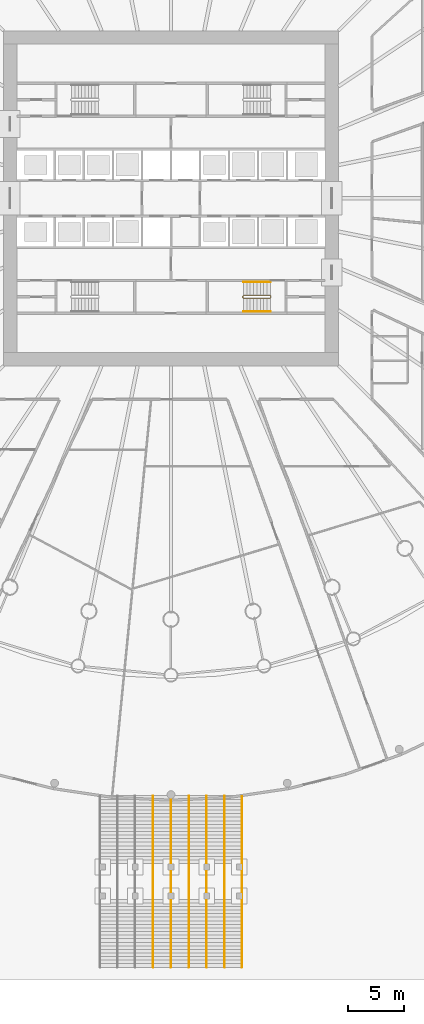
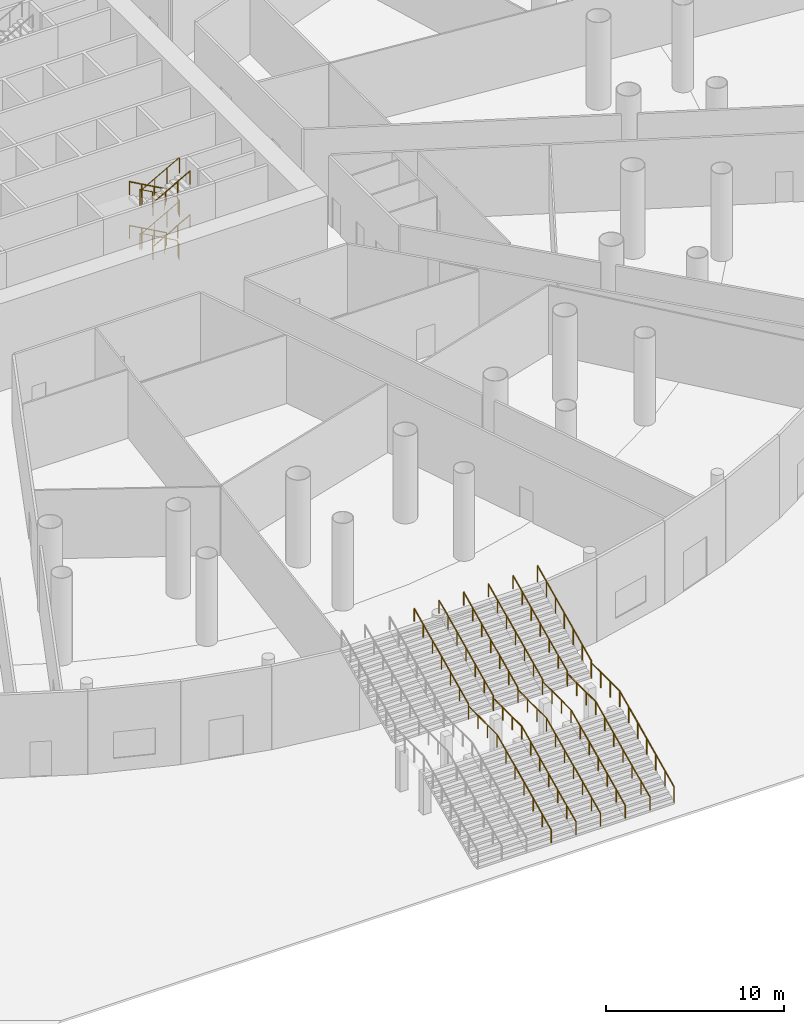
# One storey, part 28 of 33: 11 railings.
"""IFC4 building model written with IfcOpenShell, lengths in metres."""

from ifc_helpers import new_model, si_unit, direction, frame, origin, origin_2d, place, context, subcontext, project, spatial, circle, extrude, material, type_object, element, save


model = new_model("IFC4")

# Units and contexts
model_context = context("Model", 3, precision=1e-05, world=origin(), true_north=direction((0.0, 1.0)))
body_context = subcontext(model_context, "Body", "Model", "MODEL_VIEW")
ifc_project = project(units=[si_unit("LENGTHUNIT", "METRE"), si_unit("AREAUNIT", "SQUARE_METRE"), si_unit("VOLUMEUNIT", "CUBIC_METRE"), si_unit("PLANEANGLEUNIT", "RADIAN"), si_unit("MASSUNIT", "GRAM", prefix="KILO")], contexts=[model_context])

# Site, building, storey
site_placement = place(None, origin())
site = spatial("IfcSite", under=ifc_project, at=site_placement, CompositionType="ELEMENT")
building_placement = place(site_placement, origin())
building = spatial("IfcBuilding", under=site, at=building_placement, Name="Corvane Civic Tower", CompositionType="ELEMENT")
storey_placement = place(building_placement, origin())
storey = spatial("IfcBuildingStorey", under=building, at=storey_placement, Name="G", CompositionType="ELEMENT", Elevation=0.0)

# Railings
ifc_material_1 = material(Name="Steel ASTM A572 Gr 50", Category="steel")
railing_type_1 = type_object("IfcRailingType", Name="PODIUM-RL-GUARD-1100", PredefinedType="GUARDRAIL", material=ifc_material_1)
railing_1_placement = place(storey_placement, frame((6.35009765625, -68.860107421875, 0.14990234375)))
element("IfcRailing", 1, at=railing_1_placement, inside=storey, type_object=railing_type_1, Name="South stair right guard", PredefinedType="GUARDRAIL", context=body_context, shape_type="SweptSolid", body=[
    extrude(circle(Radius=0.02392578125, at=origin_2d()), frame((0.0, 0.0, 1.076171875), z_axis=(0.0, 0.905455442782, 0.424441328262), x_axis=(-1.0, 0.0, 0.0)), (0.0, 0.0, 1.0), 6.71484375),
    extrude(circle(Radius=0.02392578125, at=origin_2d()), frame((0.0, 6.080078125, 3.92626953125), z_axis=(0.0, 1.0, 0.0), x_axis=(-1.0, 0.0, 0.0)), (0.0, 0.0, 1.0), 3.199951171875),
    extrude(circle(Radius=0.02392578125, at=origin_2d()), frame((0.0, 9.280029296875, 3.92626953125), z_axis=(0.0, 0.0, 1.0), x_axis=(1.0, 0.0, 0.0)), (0.0, 0.0, 1.0), 0.14990234375),
    extrude(circle(Radius=0.02392578125, at=origin_2d()), frame((0.0, 9.280029296875, 4.076171875), z_axis=(0.0, 0.905454092966, 0.424444207796), x_axis=(-1.0, 0.0, 0.0)), (0.0, 0.0, 1.0), 6.65966796875),
    extrude(circle(Radius=0.02099609375, at=origin_2d()), origin(), (0.0, 0.0, 1.0), 1.052001953125),
    extrude(circle(Radius=0.02099609375, at=origin_2d()), frame((0.0, 1.013427734375, 0.47509765625)), (0.0, 0.0, 1.0), 1.052001953125),
    extrude(circle(Radius=0.02099609375, at=origin_2d()), frame((0.0, 2.026611328125, 0.949951171875)), (0.0, 0.0, 1.0), 1.052001953125),
    extrude(circle(Radius=0.02099609375, at=origin_2d()), frame((0.0, 3.0400390625, 1.425048828125)), (0.0, 0.0, 1.0), 1.052001953125),
    extrude(circle(Radius=0.02099609375, at=origin_2d()), frame((0.0, 4.053466796875, 1.900146484375)), (0.0, 0.0, 1.0), 1.052001953125),
    extrude(circle(Radius=0.02099609375, at=origin_2d()), frame((0.0, 5.066650390625, 2.375)), (0.0, 0.0, 1.0), 1.052001953125),
    extrude(circle(Radius=0.02099609375, at=origin_2d()), frame((0.0, 6.080078125, 2.85009765625)), (0.0, 0.0, 1.0), 1.052001953125),
    extrude(circle(Radius=0.02099609375, at=origin_2d()), frame((0.0, 7.146728515625, 2.85009765625)), (0.0, 0.0, 1.0), 1.052001953125),
    extrude(circle(Radius=0.02099609375, at=origin_2d()), frame((0.0, 8.21337890625, 2.85009765625)), (0.0, 0.0, 1.0), 1.052001953125),
    extrude(circle(Radius=0.02099609375, at=origin_2d()), frame((0.0, 9.280029296875, 2.85009765625)), (0.0, 0.0, 1.0), 1.052001953125),
    extrude(circle(Radius=0.02099609375, at=origin_2d()), frame((0.0, 9.280029296875, 3.0)), (0.0, 0.0, 1.0), 1.052001953125),
    extrude(circle(Radius=0.02099609375, at=origin_2d()), frame((0.0, 10.28515625, 3.47119140625)), (0.0, 0.0, 1.0), 1.052001953125),
    extrude(circle(Radius=0.02099609375, at=origin_2d()), frame((0.0, 11.2900390625, 3.942138671875)), (0.0, 0.0, 1.0), 1.052001953125),
    extrude(circle(Radius=0.02099609375, at=origin_2d()), frame((0.0, 12.294921875, 4.413330078125)), (0.0, 0.0, 1.0), 1.052001953125),
    extrude(circle(Radius=0.02099609375, at=origin_2d()), frame((0.0, 13.300048828125, 4.884521484375)), (0.0, 0.0, 1.0), 1.052001953125),
    extrude(circle(Radius=0.02099609375, at=origin_2d()), frame((0.0, 14.30517578125, 5.35546875)), (0.0, 0.0, 1.0), 1.052001953125),
    extrude(circle(Radius=0.02099609375, at=origin_2d()), frame((0.0, 15.31005859375, 5.82666015625)), (0.0, 0.0, 1.0), 1.052001953125),
])
ifc_material_2 = material(Name="Steel ASTM A572 Gr 50", Category="steel")
railing_type_2 = type_object("IfcRailingType", Name="PODIUM-RL-HANDRAIL-900", PredefinedType="HANDRAIL", material=ifc_material_2)
railing_2_placement = place(storey_placement, frame((-1.60009765625, -68.860107421875, 0.14990234375)))
element("IfcRailing", 2, at=railing_2_placement, inside=storey, type_object=railing_type_2, Name="South stair handrail 3", PredefinedType="HANDRAIL", context=body_context, shape_type="SweptSolid", body=[
    extrude(circle(Radius=0.02392578125, at=origin_2d()), frame((0.0, 0.0, 0.8759765625), z_axis=(0.0, 0.905455442782, 0.424441328262), x_axis=(-1.0, 0.0, 0.0)), (0.0, 0.0, 1.0), 6.71484375),
    extrude(circle(Radius=0.02392578125, at=origin_2d()), frame((0.0, 6.080078125, 3.72607421875), z_axis=(0.0, 1.0, 0.0), x_axis=(-1.0, 0.0, 0.0)), (0.0, 0.0, 1.0), 3.199951171875),
    extrude(circle(Radius=0.02392578125, at=origin_2d()), frame((0.0, 9.280029296875, 3.72607421875), z_axis=(0.0, 0.0, 1.0), x_axis=(1.0, 0.0, 0.0)), (0.0, 0.0, 1.0), 0.14990234375),
    extrude(circle(Radius=0.02392578125, at=origin_2d()), frame((0.0, 9.280029296875, 3.8759765625), z_axis=(0.0, 0.905455442782, 0.424441328262), x_axis=(-1.0, 0.0, 0.0)), (0.0, 0.0, 1.0), 6.71484375),
    extrude(circle(Radius=0.02099609375, at=origin_2d()), origin(), (0.0, 0.0, 1.0), 0.851806640625),
    extrude(circle(Radius=0.02099609375, at=origin_2d()), frame((0.0, 1.013427734375, 0.47509765625)), (0.0, 0.0, 1.0), 0.851806640625),
    extrude(circle(Radius=0.02099609375, at=origin_2d()), frame((0.0, 2.026611328125, 0.949951171875)), (0.0, 0.0, 1.0), 0.851806640625),
    extrude(circle(Radius=0.02099609375, at=origin_2d()), frame((0.0, 3.0400390625, 1.425048828125)), (0.0, 0.0, 1.0), 0.851806640625),
    extrude(circle(Radius=0.02099609375, at=origin_2d()), frame((0.0, 4.053466796875, 1.900146484375)), (0.0, 0.0, 1.0), 0.851806640625),
    extrude(circle(Radius=0.02099609375, at=origin_2d()), frame((0.0, 5.066650390625, 2.375)), (0.0, 0.0, 1.0), 0.851806640625),
    extrude(circle(Radius=0.02099609375, at=origin_2d()), frame((0.0, 6.080078125, 2.85009765625)), (0.0, 0.0, 1.0), 0.851806640625),
    extrude(circle(Radius=0.02099609375, at=origin_2d()), frame((0.0, 7.146728515625, 2.85009765625)), (0.0, 0.0, 1.0), 0.851806640625),
    extrude(circle(Radius=0.02099609375, at=origin_2d()), frame((0.0, 8.21337890625, 2.85009765625)), (0.0, 0.0, 1.0), 0.851806640625),
    extrude(circle(Radius=0.02099609375, at=origin_2d()), frame((0.0, 9.280029296875, 2.85009765625)), (0.0, 0.0, 1.0), 0.851806640625),
    extrude(circle(Radius=0.02099609375, at=origin_2d()), frame((0.0, 9.280029296875, 3.0)), (0.0, 0.0, 1.0), 0.851806640625),
    extrude(circle(Radius=0.02099609375, at=origin_2d()), frame((0.0, 10.29345703125, 3.47509765625)), (0.0, 0.0, 1.0), 0.851806640625),
    extrude(circle(Radius=0.02099609375, at=origin_2d()), frame((0.0, 11.306640625, 3.949951171875)), (0.0, 0.0, 1.0), 0.851806640625),
    extrude(circle(Radius=0.02099609375, at=origin_2d()), frame((0.0, 12.320068359375, 4.425048828125)), (0.0, 0.0, 1.0), 0.851806640625),
    extrude(circle(Radius=0.02099609375, at=origin_2d()), frame((0.0, 13.33349609375, 4.900146484375)), (0.0, 0.0, 1.0), 0.851806640625),
    extrude(circle(Radius=0.02099609375, at=origin_2d()), frame((0.0, 14.3466796875, 5.375)), (0.0, 0.0, 1.0), 0.851806640625),
    extrude(circle(Radius=0.02099609375, at=origin_2d()), frame((0.0, 15.360107421875, 5.85009765625)), (0.0, 0.0, 1.0), 0.851806640625),
])
railing_3_placement = place(storey_placement, frame((0.0, -68.860107421875, 0.14990234375)))
element("IfcRailing", 3, at=railing_3_placement, inside=storey, type_object=railing_type_2, Name="South stair handrail 4", PredefinedType="HANDRAIL", context=body_context, shape_type="SweptSolid", body=[
    extrude(circle(Radius=0.02392578125, at=origin_2d()), frame((0.0, 0.0, 0.8759765625), z_axis=(0.0, 0.905455442782, 0.424441328262), x_axis=(-1.0, 0.0, 0.0)), (0.0, 0.0, 1.0), 6.71484375),
    extrude(circle(Radius=0.02392578125, at=origin_2d()), frame((0.0, 6.080078125, 3.72607421875), z_axis=(0.0, 1.0, 0.0), x_axis=(-1.0, 0.0, 0.0)), (0.0, 0.0, 1.0), 3.199951171875),
    extrude(circle(Radius=0.02392578125, at=origin_2d()), frame((0.0, 9.280029296875, 3.72607421875), z_axis=(0.0, 0.0, 1.0), x_axis=(1.0, 0.0, 0.0)), (0.0, 0.0, 1.0), 0.14990234375),
    extrude(circle(Radius=0.02392578125, at=origin_2d()), frame((0.0, 9.280029296875, 3.8759765625), z_axis=(0.0, 0.905455442782, 0.424441328262), x_axis=(-1.0, 0.0, 0.0)), (0.0, 0.0, 1.0), 6.71484375),
    extrude(circle(Radius=0.02099609375, at=origin_2d()), origin(), (0.0, 0.0, 1.0), 0.851806640625),
    extrude(circle(Radius=0.02099609375, at=origin_2d()), frame((0.0, 1.013427734375, 0.47509765625)), (0.0, 0.0, 1.0), 0.851806640625),
    extrude(circle(Radius=0.02099609375, at=origin_2d()), frame((0.0, 2.026611328125, 0.949951171875)), (0.0, 0.0, 1.0), 0.851806640625),
    extrude(circle(Radius=0.02099609375, at=origin_2d()), frame((0.0, 3.0400390625, 1.425048828125)), (0.0, 0.0, 1.0), 0.851806640625),
    extrude(circle(Radius=0.02099609375, at=origin_2d()), frame((0.0, 4.053466796875, 1.900146484375)), (0.0, 0.0, 1.0), 0.851806640625),
    extrude(circle(Radius=0.02099609375, at=origin_2d()), frame((0.0, 5.066650390625, 2.375)), (0.0, 0.0, 1.0), 0.851806640625),
    extrude(circle(Radius=0.02099609375, at=origin_2d()), frame((0.0, 6.080078125, 2.85009765625)), (0.0, 0.0, 1.0), 0.851806640625),
    extrude(circle(Radius=0.02099609375, at=origin_2d()), frame((0.0, 7.146728515625, 2.85009765625)), (0.0, 0.0, 1.0), 0.851806640625),
    extrude(circle(Radius=0.02099609375, at=origin_2d()), frame((0.0, 8.21337890625, 2.85009765625)), (0.0, 0.0, 1.0), 0.851806640625),
    extrude(circle(Radius=0.02099609375, at=origin_2d()), frame((0.0, 9.280029296875, 2.85009765625)), (0.0, 0.0, 1.0), 0.851806640625),
    extrude(circle(Radius=0.02099609375, at=origin_2d()), frame((0.0, 9.280029296875, 3.0)), (0.0, 0.0, 1.0), 0.851806640625),
    extrude(circle(Radius=0.02099609375, at=origin_2d()), frame((0.0, 10.29345703125, 3.47509765625)), (0.0, 0.0, 1.0), 0.851806640625),
    extrude(circle(Radius=0.02099609375, at=origin_2d()), frame((0.0, 11.306640625, 3.949951171875)), (0.0, 0.0, 1.0), 0.851806640625),
    extrude(circle(Radius=0.02099609375, at=origin_2d()), frame((0.0, 12.320068359375, 4.425048828125)), (0.0, 0.0, 1.0), 0.851806640625),
    extrude(circle(Radius=0.02099609375, at=origin_2d()), frame((0.0, 13.33349609375, 4.900146484375)), (0.0, 0.0, 1.0), 0.851806640625),
    extrude(circle(Radius=0.02099609375, at=origin_2d()), frame((0.0, 14.3466796875, 5.375)), (0.0, 0.0, 1.0), 0.851806640625),
    extrude(circle(Radius=0.02099609375, at=origin_2d()), frame((0.0, 15.360107421875, 5.85009765625)), (0.0, 0.0, 1.0), 0.851806640625),
])
railing_4_placement = place(storey_placement, frame((1.60009765625, -68.860107421875, 0.14990234375)))
element("IfcRailing", 4, at=railing_4_placement, inside=storey, type_object=railing_type_2, Name="South stair handrail 5", PredefinedType="HANDRAIL", context=body_context, shape_type="SweptSolid", body=[
    extrude(circle(Radius=0.02392578125, at=origin_2d()), frame((0.0, 0.0, 0.8759765625), z_axis=(0.0, 0.905455442782, 0.424441328262), x_axis=(-1.0, 0.0, 0.0)), (0.0, 0.0, 1.0), 6.71484375),
    extrude(circle(Radius=0.02392578125, at=origin_2d()), frame((0.0, 6.080078125, 3.72607421875), z_axis=(0.0, 1.0, 0.0), x_axis=(-1.0, 0.0, 0.0)), (0.0, 0.0, 1.0), 3.199951171875),
    extrude(circle(Radius=0.02392578125, at=origin_2d()), frame((0.0, 9.280029296875, 3.72607421875), z_axis=(0.0, 0.0, 1.0), x_axis=(1.0, 0.0, 0.0)), (0.0, 0.0, 1.0), 0.14990234375),
    extrude(circle(Radius=0.02392578125, at=origin_2d()), frame((0.0, 9.280029296875, 3.8759765625), z_axis=(0.0, 0.905455442782, 0.424441328262), x_axis=(-1.0, 0.0, 0.0)), (0.0, 0.0, 1.0), 6.71484375),
    extrude(circle(Radius=0.02099609375, at=origin_2d()), origin(), (0.0, 0.0, 1.0), 0.851806640625),
    extrude(circle(Radius=0.02099609375, at=origin_2d()), frame((0.0, 1.013427734375, 0.47509765625)), (0.0, 0.0, 1.0), 0.851806640625),
    extrude(circle(Radius=0.02099609375, at=origin_2d()), frame((0.0, 2.026611328125, 0.949951171875)), (0.0, 0.0, 1.0), 0.851806640625),
    extrude(circle(Radius=0.02099609375, at=origin_2d()), frame((0.0, 3.0400390625, 1.425048828125)), (0.0, 0.0, 1.0), 0.851806640625),
    extrude(circle(Radius=0.02099609375, at=origin_2d()), frame((0.0, 4.053466796875, 1.900146484375)), (0.0, 0.0, 1.0), 0.851806640625),
    extrude(circle(Radius=0.02099609375, at=origin_2d()), frame((0.0, 5.066650390625, 2.375)), (0.0, 0.0, 1.0), 0.851806640625),
    extrude(circle(Radius=0.02099609375, at=origin_2d()), frame((0.0, 6.080078125, 2.85009765625)), (0.0, 0.0, 1.0), 0.851806640625),
    extrude(circle(Radius=0.02099609375, at=origin_2d()), frame((0.0, 7.146728515625, 2.85009765625)), (0.0, 0.0, 1.0), 0.851806640625),
    extrude(circle(Radius=0.02099609375, at=origin_2d()), frame((0.0, 8.21337890625, 2.85009765625)), (0.0, 0.0, 1.0), 0.851806640625),
    extrude(circle(Radius=0.02099609375, at=origin_2d()), frame((0.0, 9.280029296875, 2.85009765625)), (0.0, 0.0, 1.0), 0.851806640625),
    extrude(circle(Radius=0.02099609375, at=origin_2d()), frame((0.0, 9.280029296875, 3.0)), (0.0, 0.0, 1.0), 0.851806640625),
    extrude(circle(Radius=0.02099609375, at=origin_2d()), frame((0.0, 10.29345703125, 3.47509765625)), (0.0, 0.0, 1.0), 0.851806640625),
    extrude(circle(Radius=0.02099609375, at=origin_2d()), frame((0.0, 11.306640625, 3.949951171875)), (0.0, 0.0, 1.0), 0.851806640625),
    extrude(circle(Radius=0.02099609375, at=origin_2d()), frame((0.0, 12.320068359375, 4.425048828125)), (0.0, 0.0, 1.0), 0.851806640625),
    extrude(circle(Radius=0.02099609375, at=origin_2d()), frame((0.0, 13.33349609375, 4.900146484375)), (0.0, 0.0, 1.0), 0.851806640625),
    extrude(circle(Radius=0.02099609375, at=origin_2d()), frame((0.0, 14.3466796875, 5.375)), (0.0, 0.0, 1.0), 0.851806640625),
    extrude(circle(Radius=0.02099609375, at=origin_2d()), frame((0.0, 15.360107421875, 5.85009765625)), (0.0, 0.0, 1.0), 0.851806640625),
])
railing_5_placement = place(storey_placement, frame((3.199951171875, -68.860107421875, 0.14990234375)))
element("IfcRailing", 5, at=railing_5_placement, inside=storey, type_object=railing_type_2, Name="South stair handrail 6", PredefinedType="HANDRAIL", context=body_context, shape_type="SweptSolid", body=[
    extrude(circle(Radius=0.02392578125, at=origin_2d()), frame((0.0, 0.0, 0.8759765625), z_axis=(0.0, 0.905455442782, 0.424441328262), x_axis=(-1.0, 0.0, 0.0)), (0.0, 0.0, 1.0), 6.71484375),
    extrude(circle(Radius=0.02392578125, at=origin_2d()), frame((0.0, 6.080078125, 3.72607421875), z_axis=(0.0, 1.0, 0.0), x_axis=(-1.0, 0.0, 0.0)), (0.0, 0.0, 1.0), 3.199951171875),
    extrude(circle(Radius=0.02392578125, at=origin_2d()), frame((0.0, 9.280029296875, 3.72607421875), z_axis=(0.0, 0.0, 1.0), x_axis=(1.0, 0.0, 0.0)), (0.0, 0.0, 1.0), 0.14990234375),
    extrude(circle(Radius=0.02392578125, at=origin_2d()), frame((0.0, 9.280029296875, 3.8759765625), z_axis=(0.0, 0.905455442782, 0.424441328262), x_axis=(-1.0, 0.0, 0.0)), (0.0, 0.0, 1.0), 6.71484375),
    extrude(circle(Radius=0.02099609375, at=origin_2d()), origin(), (0.0, 0.0, 1.0), 0.851806640625),
    extrude(circle(Radius=0.02099609375, at=origin_2d()), frame((0.0, 1.013427734375, 0.47509765625)), (0.0, 0.0, 1.0), 0.851806640625),
    extrude(circle(Radius=0.02099609375, at=origin_2d()), frame((0.0, 2.026611328125, 0.949951171875)), (0.0, 0.0, 1.0), 0.851806640625),
    extrude(circle(Radius=0.02099609375, at=origin_2d()), frame((0.0, 3.0400390625, 1.425048828125)), (0.0, 0.0, 1.0), 0.851806640625),
    extrude(circle(Radius=0.02099609375, at=origin_2d()), frame((0.0, 4.053466796875, 1.900146484375)), (0.0, 0.0, 1.0), 0.851806640625),
    extrude(circle(Radius=0.02099609375, at=origin_2d()), frame((0.0, 5.066650390625, 2.375)), (0.0, 0.0, 1.0), 0.851806640625),
    extrude(circle(Radius=0.02099609375, at=origin_2d()), frame((0.0, 6.080078125, 2.85009765625)), (0.0, 0.0, 1.0), 0.851806640625),
    extrude(circle(Radius=0.02099609375, at=origin_2d()), frame((0.0, 7.146728515625, 2.85009765625)), (0.0, 0.0, 1.0), 0.851806640625),
    extrude(circle(Radius=0.02099609375, at=origin_2d()), frame((0.0, 8.21337890625, 2.85009765625)), (0.0, 0.0, 1.0), 0.851806640625),
    extrude(circle(Radius=0.02099609375, at=origin_2d()), frame((0.0, 9.280029296875, 2.85009765625)), (0.0, 0.0, 1.0), 0.851806640625),
    extrude(circle(Radius=0.02099609375, at=origin_2d()), frame((0.0, 9.280029296875, 3.0)), (0.0, 0.0, 1.0), 0.851806640625),
    extrude(circle(Radius=0.02099609375, at=origin_2d()), frame((0.0, 10.29345703125, 3.47509765625)), (0.0, 0.0, 1.0), 0.851806640625),
    extrude(circle(Radius=0.02099609375, at=origin_2d()), frame((0.0, 11.306640625, 3.949951171875)), (0.0, 0.0, 1.0), 0.851806640625),
    extrude(circle(Radius=0.02099609375, at=origin_2d()), frame((0.0, 12.320068359375, 4.425048828125)), (0.0, 0.0, 1.0), 0.851806640625),
    extrude(circle(Radius=0.02099609375, at=origin_2d()), frame((0.0, 13.33349609375, 4.900146484375)), (0.0, 0.0, 1.0), 0.851806640625),
    extrude(circle(Radius=0.02099609375, at=origin_2d()), frame((0.0, 14.3466796875, 5.375)), (0.0, 0.0, 1.0), 0.851806640625),
    extrude(circle(Radius=0.02099609375, at=origin_2d()), frame((0.0, 15.360107421875, 5.85009765625)), (0.0, 0.0, 1.0), 0.851806640625),
])
railing_6_placement = place(storey_placement, frame((4.800048828125, -68.860107421875, 0.14990234375)))
element("IfcRailing", 6, at=railing_6_placement, inside=storey, type_object=railing_type_2, Name="South stair handrail 7", PredefinedType="HANDRAIL", context=body_context, shape_type="SweptSolid", body=[
    extrude(circle(Radius=0.02392578125, at=origin_2d()), frame((0.0, 0.0, 0.8759765625), z_axis=(0.0, 0.905455442782, 0.424441328262), x_axis=(-1.0, 0.0, 0.0)), (0.0, 0.0, 1.0), 6.71484375),
    extrude(circle(Radius=0.02392578125, at=origin_2d()), frame((0.0, 6.080078125, 3.72607421875), z_axis=(0.0, 1.0, 0.0), x_axis=(-1.0, 0.0, 0.0)), (0.0, 0.0, 1.0), 3.199951171875),
    extrude(circle(Radius=0.02392578125, at=origin_2d()), frame((0.0, 9.280029296875, 3.72607421875), z_axis=(0.0, 0.0, 1.0), x_axis=(1.0, 0.0, 0.0)), (0.0, 0.0, 1.0), 0.14990234375),
    extrude(circle(Radius=0.02392578125, at=origin_2d()), frame((0.0, 9.280029296875, 3.8759765625), z_axis=(0.0, 0.905455442782, 0.424441328262), x_axis=(-1.0, 0.0, 0.0)), (0.0, 0.0, 1.0), 6.71484375),
    extrude(circle(Radius=0.02099609375, at=origin_2d()), origin(), (0.0, 0.0, 1.0), 0.851806640625),
    extrude(circle(Radius=0.02099609375, at=origin_2d()), frame((0.0, 1.013427734375, 0.47509765625)), (0.0, 0.0, 1.0), 0.851806640625),
    extrude(circle(Radius=0.02099609375, at=origin_2d()), frame((0.0, 2.026611328125, 0.949951171875)), (0.0, 0.0, 1.0), 0.851806640625),
    extrude(circle(Radius=0.02099609375, at=origin_2d()), frame((0.0, 3.0400390625, 1.425048828125)), (0.0, 0.0, 1.0), 0.851806640625),
    extrude(circle(Radius=0.02099609375, at=origin_2d()), frame((0.0, 4.053466796875, 1.900146484375)), (0.0, 0.0, 1.0), 0.851806640625),
    extrude(circle(Radius=0.02099609375, at=origin_2d()), frame((0.0, 5.066650390625, 2.375)), (0.0, 0.0, 1.0), 0.851806640625),
    extrude(circle(Radius=0.02099609375, at=origin_2d()), frame((0.0, 6.080078125, 2.85009765625)), (0.0, 0.0, 1.0), 0.851806640625),
    extrude(circle(Radius=0.02099609375, at=origin_2d()), frame((0.0, 7.146728515625, 2.85009765625)), (0.0, 0.0, 1.0), 0.851806640625),
    extrude(circle(Radius=0.02099609375, at=origin_2d()), frame((0.0, 8.21337890625, 2.85009765625)), (0.0, 0.0, 1.0), 0.851806640625),
    extrude(circle(Radius=0.02099609375, at=origin_2d()), frame((0.0, 9.280029296875, 2.85009765625)), (0.0, 0.0, 1.0), 0.851806640625),
    extrude(circle(Radius=0.02099609375, at=origin_2d()), frame((0.0, 9.280029296875, 3.0)), (0.0, 0.0, 1.0), 0.851806640625),
    extrude(circle(Radius=0.02099609375, at=origin_2d()), frame((0.0, 10.29345703125, 3.47509765625)), (0.0, 0.0, 1.0), 0.851806640625),
    extrude(circle(Radius=0.02099609375, at=origin_2d()), frame((0.0, 11.306640625, 3.949951171875)), (0.0, 0.0, 1.0), 0.851806640625),
    extrude(circle(Radius=0.02099609375, at=origin_2d()), frame((0.0, 12.320068359375, 4.425048828125)), (0.0, 0.0, 1.0), 0.851806640625),
    extrude(circle(Radius=0.02099609375, at=origin_2d()), frame((0.0, 13.33349609375, 4.900146484375)), (0.0, 0.0, 1.0), 0.851806640625),
    extrude(circle(Radius=0.02099609375, at=origin_2d()), frame((0.0, 14.3466796875, 5.375)), (0.0, 0.0, 1.0), 0.851806640625),
    extrude(circle(Radius=0.02099609375, at=origin_2d()), frame((0.0, 15.360107421875, 5.85009765625)), (0.0, 0.0, 1.0), 0.851806640625),
])
ifc_material_3 = material(Name="Steel ASTM A572 Gr 50", Category="steel")
railing_type_3 = type_object("IfcRailingType", Name="ST-GUARD-1100", PredefinedType="GUARDRAIL", material=ifc_material_3)
railing_7_placement = place(storey_placement, frame((8.949951171875, -8.89990234375, 0.0)))
element("IfcRailing", 7, at=railing_7_placement, inside=storey, type_object=railing_type_3, Name="G ST2 stair guard 1", PredefinedType="GUARDRAIL", context=body_context, shape_type="SweptSolid", body=[
    extrude(circle(Radius=0.02392578125, at=origin_2d()), frame((0.0, 0.0, 1.076171875), z_axis=(0.0, 1.0, 0.0), x_axis=(-1.0, 0.0, 0.0)), (0.0, 0.0, 1.0), 0.14990234375),
    extrude(circle(Radius=0.02392578125, at=origin_2d()), frame((0.0, 0.14990234375, 1.076171875), z_axis=(-0.27628659633, 0.27628659633, 0.920506074601), x_axis=(-0.707106781187, -0.707106781187, 0.0)), (0.0, 0.0, 1.0), 0.18115234375),
    extrude(circle(Radius=0.02392578125, at=origin_2d()), frame((-0.050048828125, 0.199951171875, 1.24267578125), z_axis=(-0.874161470802, 0.0, 0.485635380677), x_axis=(0.0, -1.0, 0.0)), (0.0, 0.0, 1.0), 2.745361328125),
    extrude(circle(Radius=0.02392578125, at=origin_2d()), frame((-2.449951171875, 0.199951171875, 2.576171875), z_axis=(-0.707106781187, -0.707106781187, 0.0), x_axis=(0.707106781187, -0.707106781187, 0.0)), (0.0, 0.0, 1.0), 0.07080078125),
    extrude(circle(Radius=0.02392578125, at=origin_2d()), frame((-2.5, 0.14990234375, 2.576171875), z_axis=(0.0, -1.0, 0.0), x_axis=(1.0, 0.0, 0.0)), (0.0, 0.0, 1.0), 0.14990234375),
    extrude(circle(Radius=0.02392578125, at=origin_2d()), frame((-2.5, 0.0, 2.576171875), z_axis=(0.27628659633, -0.27628659633, 0.920506074601), x_axis=(0.707106781187, 0.707106781187, 0.0)), (0.0, 0.0, 1.0), 0.18115234375),
    extrude(circle(Radius=0.02392578125, at=origin_2d()), frame((-2.449951171875, -0.050048828125, 2.74267578125), z_axis=(0.874161470802, 0.0, 0.485635380677), x_axis=(0.0, 1.0, 0.0)), (0.0, 0.0, 1.0), 2.745361328125),
    extrude(circle(Radius=0.02392578125, at=origin_2d()), frame((-0.050048828125, -0.050048828125, 4.076171875), z_axis=(0.707106781187, 0.707106781187, 0.0), x_axis=(-0.707106781187, 0.707106781187, 0.0)), (0.0, 0.0, 1.0), 0.07080078125),
    extrude(circle(Radius=0.02392578125, at=origin_2d()), frame((0.0, 0.0, 4.076171875), z_axis=(0.0, 1.0, 0.0), x_axis=(-1.0, 0.0, 0.0)), (0.0, 0.0, 1.0), 0.14990234375),
    extrude(circle(Radius=0.02392578125, at=origin_2d()), frame((0.0, 0.14990234375, 4.076171875), z_axis=(-0.27628659633, 0.27628659633, 0.920506074601), x_axis=(-0.707106781187, -0.707106781187, 0.0)), (0.0, 0.0, 1.0), 0.18115234375),
    extrude(circle(Radius=0.02392578125, at=origin_2d()), frame((-0.050048828125, 0.199951171875, 4.24267578125), z_axis=(-0.874161470802, 0.0, 0.485635380677), x_axis=(0.0, -1.0, 0.0)), (0.0, 0.0, 1.0), 2.745361328125),
    extrude(circle(Radius=0.02392578125, at=origin_2d()), frame((-2.449951171875, 0.199951171875, 5.576171875), z_axis=(-0.707106781187, -0.707106781187, 0.0), x_axis=(0.707106781187, -0.707106781187, 0.0)), (0.0, 0.0, 1.0), 0.07080078125),
    extrude(circle(Radius=0.02392578125, at=origin_2d()), frame((-2.5, 0.14990234375, 5.576171875), z_axis=(0.0, -1.0, 0.0), x_axis=(1.0, 0.0, 0.0)), (0.0, 0.0, 1.0), 0.14990234375),
    extrude(circle(Radius=0.02392578125, at=origin_2d()), frame((-2.5, 0.0, 5.576171875), z_axis=(0.27628659633, -0.27628659633, 0.920506074601), x_axis=(0.707106781187, 0.707106781187, 0.0)), (0.0, 0.0, 1.0), 0.18115234375),
    extrude(circle(Radius=0.02392578125, at=origin_2d()), frame((-2.449951171875, -0.050048828125, 5.74267578125), z_axis=(0.874161470802, 0.0, 0.485635380677), x_axis=(0.0, 1.0, 0.0)), (0.0, 0.0, 1.0), 2.745361328125),
    extrude(circle(Radius=0.02099609375, at=origin_2d()), origin(), (0.0, 0.0, 1.0), 1.052001953125),
    extrude(circle(Radius=0.02099609375, at=origin_2d()), frame((0.0, 0.14990234375, 0.0)), (0.0, 0.0, 1.0), 1.052001953125),
    extrude(circle(Radius=0.02099609375, at=origin_2d()), frame((-0.050048828125, 0.199951171875, 0.166748046875)), (0.0, 0.0, 1.0), 1.052001953125),
    extrude(circle(Radius=0.02099609375, at=origin_2d()), frame((-0.85009765625, 0.199951171875, 0.611083984375)), (0.0, 0.0, 1.0), 1.052001953125),
    extrude(circle(Radius=0.02099609375, at=origin_2d()), frame((-1.64990234375, 0.199951171875, 1.0556640625)), (0.0, 0.0, 1.0), 1.052001953125),
    extrude(circle(Radius=0.02099609375, at=origin_2d()), frame((-2.449951171875, 0.199951171875, 1.5)), (0.0, 0.0, 1.0), 1.052001953125),
    extrude(circle(Radius=0.02099609375, at=origin_2d()), frame((-2.5, 0.14990234375, 1.5)), (0.0, 0.0, 1.0), 1.052001953125),
    extrude(circle(Radius=0.02099609375, at=origin_2d()), frame((-2.5, 0.0, 1.5)), (0.0, 0.0, 1.0), 1.052001953125),
    extrude(circle(Radius=0.02099609375, at=origin_2d()), frame((-2.449951171875, -0.050048828125, 1.666748046875)), (0.0, 0.0, 1.0), 1.052001953125),
    extrude(circle(Radius=0.02099609375, at=origin_2d()), frame((-1.64990234375, -0.050048828125, 2.111083984375)), (0.0, 0.0, 1.0), 1.052001953125),
    extrude(circle(Radius=0.02099609375, at=origin_2d()), frame((-0.85009765625, -0.050048828125, 2.5556640625)), (0.0, 0.0, 1.0), 1.052001953125),
    extrude(circle(Radius=0.02099609375, at=origin_2d()), frame((-0.050048828125, -0.050048828125, 3.0)), (0.0, 0.0, 1.0), 1.052001953125),
    extrude(circle(Radius=0.02099609375, at=origin_2d()), frame((0.0, 0.0, 3.0)), (0.0, 0.0, 1.0), 1.052001953125),
    extrude(circle(Radius=0.02099609375, at=origin_2d()), frame((0.0, 0.14990234375, 3.0)), (0.0, 0.0, 1.0), 1.052001953125),
    extrude(circle(Radius=0.02099609375, at=origin_2d()), frame((-0.050048828125, 0.199951171875, 3.166748046875)), (0.0, 0.0, 1.0), 1.052001953125),
    extrude(circle(Radius=0.02099609375, at=origin_2d()), frame((-0.85009765625, 0.199951171875, 3.611083984375)), (0.0, 0.0, 1.0), 1.052001953125),
    extrude(circle(Radius=0.02099609375, at=origin_2d()), frame((-1.64990234375, 0.199951171875, 4.0556640625)), (0.0, 0.0, 1.0), 1.052001953125),
    extrude(circle(Radius=0.02099609375, at=origin_2d()), frame((-2.449951171875, 0.199951171875, 4.5)), (0.0, 0.0, 1.0), 1.052001953125),
    extrude(circle(Radius=0.02099609375, at=origin_2d()), frame((-2.5, 0.14990234375, 4.5)), (0.0, 0.0, 1.0), 1.052001953125),
    extrude(circle(Radius=0.02099609375, at=origin_2d()), frame((-2.5, 0.0, 4.5)), (0.0, 0.0, 1.0), 1.052001953125),
    extrude(circle(Radius=0.02099609375, at=origin_2d()), frame((-2.449951171875, -0.050048828125, 4.666748046875)), (0.0, 0.0, 1.0), 1.052001953125),
    extrude(circle(Radius=0.02099609375, at=origin_2d()), frame((-1.64990234375, -0.050048828125, 5.111083984375)), (0.0, 0.0, 1.0), 1.052001953125),
    extrude(circle(Radius=0.02099609375, at=origin_2d()), frame((-0.85009765625, -0.050048828125, 5.5556640625)), (0.0, 0.0, 1.0), 1.052001953125),
    extrude(circle(Radius=0.02099609375, at=origin_2d()), frame((-0.050048828125, -0.050048828125, 6.0)), (0.0, 0.0, 1.0), 1.052001953125),
])
ifc_material_4 = material(Name="Steel ASTM A572 Gr 50", Category="steel")
railing_type_4 = type_object("IfcRailingType", Name="ST-HANDRAIL-900", PredefinedType="HANDRAIL", material=ifc_material_4)
railing_8_placement = place(storey_placement, frame((8.89990234375, -7.5, 0.166748046875)))
element("IfcRailing", 8, at=railing_8_placement, inside=storey, type_object=railing_type_4, Name="G ST2 stair handrail 1", PredefinedType="HANDRAIL", context=body_context, shape_type="SweptSolid", body=[
    extrude(circle(Radius=0.02392578125, at=origin_2d()), frame((0.0, 0.0, 0.8759765625), z_axis=(-0.874161470802, 0.0, 0.485635380677), x_axis=(0.0, -1.0, 0.0)), (0.0, 0.0, 1.0), 2.745361328125),
    extrude(circle(Radius=0.02099609375, at=origin_2d()), origin(), (0.0, 0.0, 1.0), 0.851806640625),
    extrude(circle(Radius=0.02099609375, at=origin_2d()), frame((-0.800048828125, 0.0, 0.4443359375)), (0.0, 0.0, 1.0), 0.851806640625),
    extrude(circle(Radius=0.02099609375, at=origin_2d()), frame((-1.599853515625, 0.0, 0.888916015625)), (0.0, 0.0, 1.0), 0.851806640625),
    extrude(circle(Radius=0.02099609375, at=origin_2d()), frame((-2.39990234375, 0.0, 1.333251953125)), (0.0, 0.0, 1.0), 0.851806640625),
])
railing_9_placement = place(storey_placement, frame((6.5, -10.14990234375, 1.666748046875)))
element("IfcRailing", 9, at=railing_9_placement, inside=storey, type_object=railing_type_4, Name="G ST2 stair handrail 2", PredefinedType="HANDRAIL", context=body_context, shape_type="SweptSolid", body=[
    extrude(circle(Radius=0.02392578125, at=origin_2d()), frame((0.0, 0.0, 0.8759765625), z_axis=(0.874161470802, 0.0, 0.485635380677), x_axis=(0.0, 1.0, 0.0)), (0.0, 0.0, 1.0), 2.745361328125),
    extrude(circle(Radius=0.02099609375, at=origin_2d()), origin(), (0.0, 0.0, 1.0), 0.851806640625),
    extrude(circle(Radius=0.02099609375, at=origin_2d()), frame((0.800048828125, 0.0, 0.4443359375)), (0.0, 0.0, 1.0), 0.851806640625),
    extrude(circle(Radius=0.02099609375, at=origin_2d()), frame((1.599853515625, 0.0, 0.888916015625)), (0.0, 0.0, 1.0), 0.851806640625),
    extrude(circle(Radius=0.02099609375, at=origin_2d()), frame((2.39990234375, 0.0, 1.333251953125)), (0.0, 0.0, 1.0), 0.851806640625),
])
railing_10_placement = place(storey_placement, frame((8.89990234375, -7.5, 3.166748046875)))
element("IfcRailing", 10, at=railing_10_placement, inside=storey, type_object=railing_type_4, Name="G ST2 stair handrail 3", PredefinedType="HANDRAIL", context=body_context, shape_type="SweptSolid", body=[
    extrude(circle(Radius=0.02392578125, at=origin_2d()), frame((0.0, 0.0, 0.8759765625), z_axis=(-0.874161470802, 0.0, 0.485635380677), x_axis=(0.0, -1.0, 0.0)), (0.0, 0.0, 1.0), 2.745361328125),
    extrude(circle(Radius=0.02099609375, at=origin_2d()), origin(), (0.0, 0.0, 1.0), 0.851806640625),
    extrude(circle(Radius=0.02099609375, at=origin_2d()), frame((-0.800048828125, 0.0, 0.4443359375)), (0.0, 0.0, 1.0), 0.851806640625),
    extrude(circle(Radius=0.02099609375, at=origin_2d()), frame((-1.599853515625, 0.0, 0.888916015625)), (0.0, 0.0, 1.0), 0.851806640625),
    extrude(circle(Radius=0.02099609375, at=origin_2d()), frame((-2.39990234375, 0.0, 1.333251953125)), (0.0, 0.0, 1.0), 0.851806640625),
])
railing_11_placement = place(storey_placement, frame((6.5, -10.14990234375, 4.666748046875)))
element("IfcRailing", 11, at=railing_11_placement, inside=storey, type_object=railing_type_4, Name="G ST2 stair handrail 4", PredefinedType="HANDRAIL", context=body_context, shape_type="SweptSolid", body=[
    extrude(circle(Radius=0.02392578125, at=origin_2d()), frame((0.0, 0.0, 0.8759765625), z_axis=(0.874161470802, 0.0, 0.485635380677), x_axis=(0.0, 1.0, 0.0)), (0.0, 0.0, 1.0), 2.745361328125),
    extrude(circle(Radius=0.02099609375, at=origin_2d()), origin(), (0.0, 0.0, 1.0), 0.851806640625),
    extrude(circle(Radius=0.02099609375, at=origin_2d()), frame((0.800048828125, 0.0, 0.4443359375)), (0.0, 0.0, 1.0), 0.851806640625),
    extrude(circle(Radius=0.02099609375, at=origin_2d()), frame((1.599853515625, 0.0, 0.888916015625)), (0.0, 0.0, 1.0), 0.851806640625),
    extrude(circle(Radius=0.02099609375, at=origin_2d()), frame((2.39990234375, 0.0, 1.333251953125)), (0.0, 0.0, 1.0), 0.851806640625),
])

save(model, "model.ifc")
